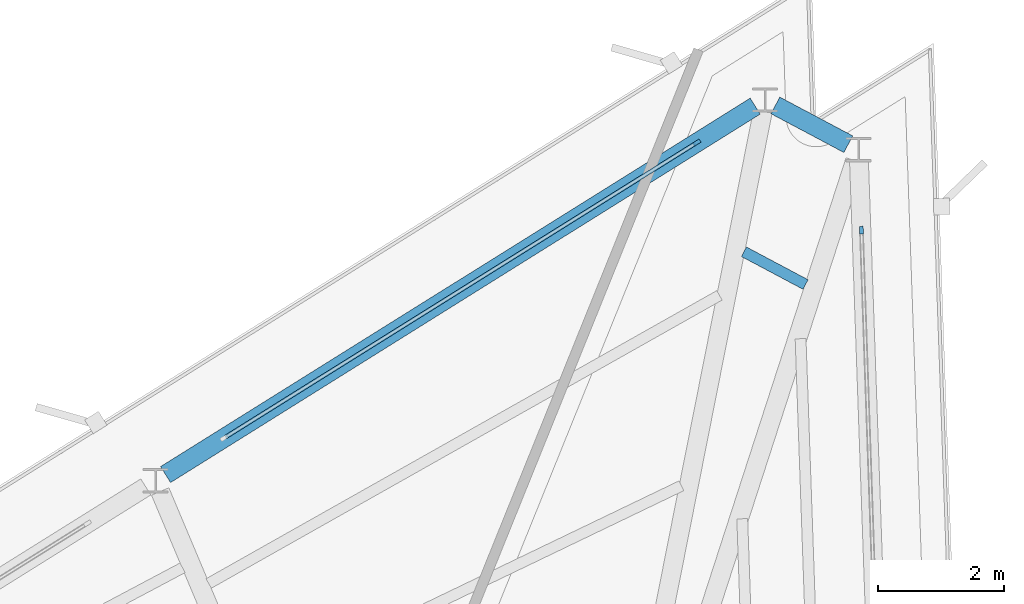
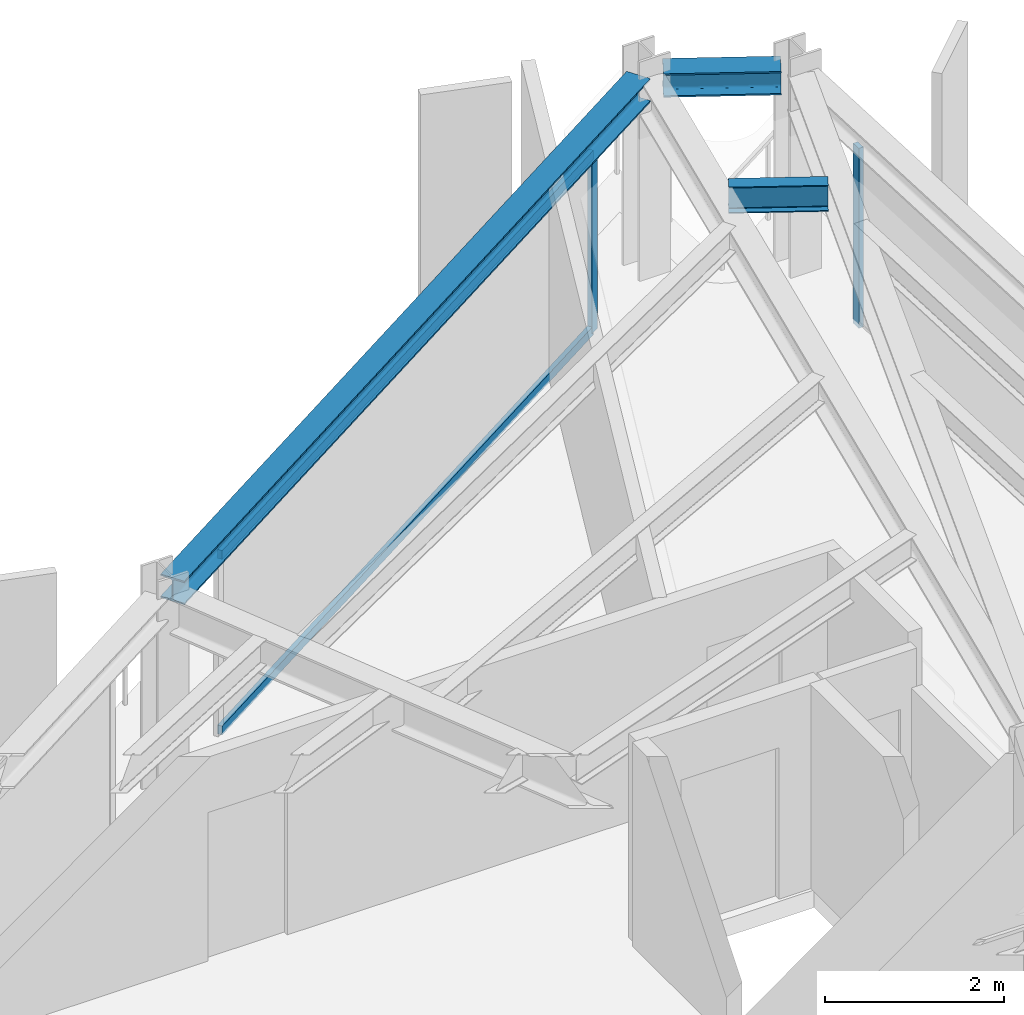
# One storey, part 7 of 13: 4 members, 3 beams, 2 elements without a shape of their own.
"""IFC4 building model written with IfcOpenShell, lengths in metres."""

from ifc_helpers import new_model, si_unit, direction, frame, origin, origin_2d, place, context, subcontext, project, spatial, rectangle, i_section, extrude, material, layer, layer_set, material_profile, profile_set, type_object, element, aggregate, save


model = new_model("IFC4")

# Units and contexts
model_context = context("Model", 3, precision=1e-05, world=origin(), true_north=direction((0.0, 1.0)))
body_context = subcontext(model_context, "Body", "Model", "MODEL_VIEW")
ifc_project = project(units=[si_unit("LENGTHUNIT", "METRE"), si_unit("AREAUNIT", "SQUARE_METRE"), si_unit("VOLUMEUNIT", "CUBIC_METRE"), si_unit("PLANEANGLEUNIT", "RADIAN"), si_unit("MASSUNIT", "GRAM", prefix="KILO")], contexts=[model_context])

# Site, building, storey
site_placement = place(None, origin())
site = spatial("IfcSite", under=ifc_project, at=site_placement, CompositionType="ELEMENT")
building_placement = place(site_placement, origin())
building = spatial("IfcBuilding", under=site, at=building_placement, Name="Rocaltana Carrier Exchange", CompositionType="ELEMENT")
storey_placement = place(building_placement, frame((0.0, 0.0, 202.719970703125)))
storey = spatial("IfcBuildingStorey", under=building, at=storey_placement, Name="L64", CompositionType="ELEMENT", Elevation=202.719970703125)

# Curtain wall, member
ifc_material_1 = material(Name="Aluminium 6063-T6", Category="aluminium")
ifc_layer = layer(ifc_material_1, 0.1201171875)
ifc_layer_set = layer_set([ifc_layer], Name="Aluminium 6063-T6")
curtain_wall_type = type_object("IfcCurtainWallType", Name="High-Altitude Thermal Curtain Wall CW-05", PredefinedType="NOTDEFINED", material=ifc_layer_set)
curtain_wall_1_placement = place(storey_placement, origin())
curtain_wall_1 = element("IfcCurtainWall", 1, at=curtain_wall_1_placement, inside=storey, type_object=curtain_wall_type, Name="L64 CW-05 Run CW-L64-F1S3", PredefinedType="NOTDEFINED")
ifc_material_2 = material(Name="Aluminium 6063-T6", Category="aluminium")
ifc_material_profile_1 = material_profile(ifc_material_2, rectangle(XDim=0.06005859375, YDim=0.1201171875, at=origin_2d()), Name="AL-60X120")
ifc_profile_set_1 = profile_set([ifc_material_profile_1], Name="Aluminium 6063-T6")
member_type_1 = type_object("IfcMemberType", Name="CW-05 Mullion AL-60X120", PredefinedType="MULLION", material=ifc_profile_set_1)
member_1_placement = place(storey_placement, frame((10.31396484375, 16.239990234375, 0.0), z_axis=(0.0, 0.0, 1.0), x_axis=(-0.999390720156, -0.034902556738, 0.0)))
member_1 = element("IfcMember", 2, at=member_1_placement, type_object=member_type_1, Name="CW-05 mullion 2", PredefinedType="MULLION", context=body_context, shape_type="SweptSolid", body=[
    extrude(rectangle(XDim=0.06005859375, YDim=0.1201171875, at=origin_2d()), origin(), (0.0, 0.0, 1.0), 2.447998046875),
])
aggregate(curtain_wall_1, [member_1])

# Curtain wall, members
curtain_wall_2_placement = place(storey_placement, origin())
curtain_wall_2 = element("IfcCurtainWall", 3, at=curtain_wall_2_placement, inside=storey, type_object=curtain_wall_type, Name="L64 CW-05 Run CW-L64-F2S1", PredefinedType="NOTDEFINED")
member_2_placement = place(storey_placement, frame((7.696044921875, 17.6318359375, 0.0), z_axis=(0.0, 0.0, 1.0), x_axis=(0.529928503412, -0.848042322807, 0.0)))
member_2 = element("IfcMember", 4, at=member_2_placement, type_object=member_type_1, Name="CW-05 mullion 1", PredefinedType="MULLION", context=body_context, shape_type="SweptSolid", body=[
    extrude(rectangle(XDim=0.06005859375, YDim=0.1201171875, at=origin_2d()), origin(), (0.0, 0.0, 1.0), 2.447998046875),
])
ifc_material_3 = material(Name="Aluminium 6063-T6", Category="aluminium")
ifc_material_profile_2 = material_profile(ifc_material_3, rectangle(XDim=0.06005859375, YDim=0.1201171875, at=origin_2d()), Name="AL-60X120")
ifc_profile_set_2 = profile_set([ifc_material_profile_2], Name="Aluminium 6063-T6")
member_type_2 = type_object("IfcMemberType", Name="CW-05 Transom AL-60X120", PredefinedType="USERDEFINED", material=ifc_profile_set_2)
member_3_placement = place(storey_placement, frame((7.67041015625, 17.615966796875, 0.030029296875), z_axis=(-0.848037208835, -0.529936687192, 0.0), x_axis=(0.529936687192, -0.848037208835, 0.0)))
member_3 = element("IfcMember", 5, at=member_3_placement, type_object=member_type_2, Name="CW-05 transom 1.1", ObjectType="TRANSOM", PredefinedType="USERDEFINED", context=body_context, shape_type="SweptSolid", body=[
    extrude(rectangle(XDim=0.06005859375, YDim=0.1201171875, at=origin_2d()), origin(), (0.0, 0.0, 1.0), 8.813232421875),
])
member_4_placement = place(storey_placement, frame((7.67041015625, 17.615966796875, 2.41796875), z_axis=(-0.848037208835, -0.529936687192, 0.0), x_axis=(0.529936687192, -0.848037208835, 0.0)))
member_4 = element("IfcMember", 6, at=member_4_placement, type_object=member_type_2, Name="CW-05 transom 1.2", ObjectType="TRANSOM", PredefinedType="USERDEFINED", context=body_context, shape_type="SweptSolid", body=[
    extrude(rectangle(XDim=0.06005859375, YDim=0.1201171875, at=origin_2d()), origin(), (0.0, 0.0, 1.0), 8.813232421875),
])
aggregate(curtain_wall_2, [member_2, member_3, member_4])

# Beams
ifc_material_4 = material(Name="Steel S355", Category="steel")
ifc_material_profile_3 = material_profile(ifc_material_4, i_section(OverallWidth=0.172119140625, OverallDepth=0.35791015625, WebThickness=0.0078125, FlangeThickness=0.01318359375, FilletRadius=0.011962890625, at=origin_2d()), Name="W14X38")
ifc_profile_set_3 = profile_set([ifc_material_profile_3], Name="Steel S355")
beam_type_1 = type_object("IfcBeamType", Name="Floor Joist W14X38", PredefinedType="JOIST", material=ifc_profile_set_3)
beam_1_placement = place(storey_placement, frame((9.4248046875, 15.37353515625, 2.619140625), z_axis=(-0.882979040658, 0.469412413298, 0.0), x_axis=(-0.469412413298, -0.882979040658, 0.0)))
element("IfcBeam", 7, at=beam_1_placement, inside=storey, type_object=beam_type_1, Name="FJ-L64-04-3", PredefinedType="JOIST", context=body_context, shape_type="SweptSolid", body=[
    extrude(i_section(OverallWidth=0.172119140625, OverallDepth=0.35791015625, WebThickness=0.0078125, FlangeThickness=0.01318359375, FilletRadius=0.011962890625, at=origin_2d()), origin(), (0.0, 0.0, 1.0), 1.1103515625),
])
ifc_material_5 = material(Name="Steel S355", Category="steel")
ifc_material_profile_4 = material_profile(ifc_material_5, i_section(OverallWidth=0.300048828125, OverallDepth=0.320068359375, WebThickness=0.011474609375, FlangeThickness=0.0205078125, FilletRadius=0.027099609375, at=origin_2d()), Name="HEB320")
ifc_profile_set_4 = profile_set([ifc_material_profile_4], Name="Steel S355")
beam_type_2 = type_object("IfcBeamType", Name="Spandrel Edge Beam HEB320", PredefinedType="SPANDREL", material=ifc_profile_set_4)
beam_2_placement = place(storey_placement, frame((10.10546875, 17.606201171875, 2.637939453125), z_axis=(-0.883000211898, 0.469372587385, 0.0), x_axis=(-0.469372587385, -0.883000211898, 0.0)))
element("IfcBeam", 8, at=beam_2_placement, inside=storey, type_object=beam_type_2, Name="SP-L64-04", PredefinedType="SPANDREL", context=body_context, shape_type="SweptSolid", body=[
    extrude(i_section(OverallWidth=0.300048828125, OverallDepth=0.320068359375, WebThickness=0.011474609375, FlangeThickness=0.0205078125, FilletRadius=0.027099609375, at=origin_2d()), origin(), (0.0, 0.0, 1.0), 1.31396484375),
])
beam_3_placement = place(storey_placement, frame((8.624267578125, 18.2119140625, 2.637939453125), z_axis=(-0.848040456441, -0.529931490138, 0.0), x_axis=(0.529931490138, -0.848040456441, 0.0)))
element("IfcBeam", 9, at=beam_3_placement, inside=storey, type_object=beam_type_2, Name="SP-L64-05", PredefinedType="SPANDREL", context=body_context, shape_type="SweptSolid", body=[
    extrude(i_section(OverallWidth=0.300048828125, OverallDepth=0.320068359375, WebThickness=0.011474609375, FlangeThickness=0.0205078125, FilletRadius=0.027099609375, at=origin_2d()), origin(), (0.0, 0.0, 1.0), 11.0625),
])

save(model, "model.ifc")
